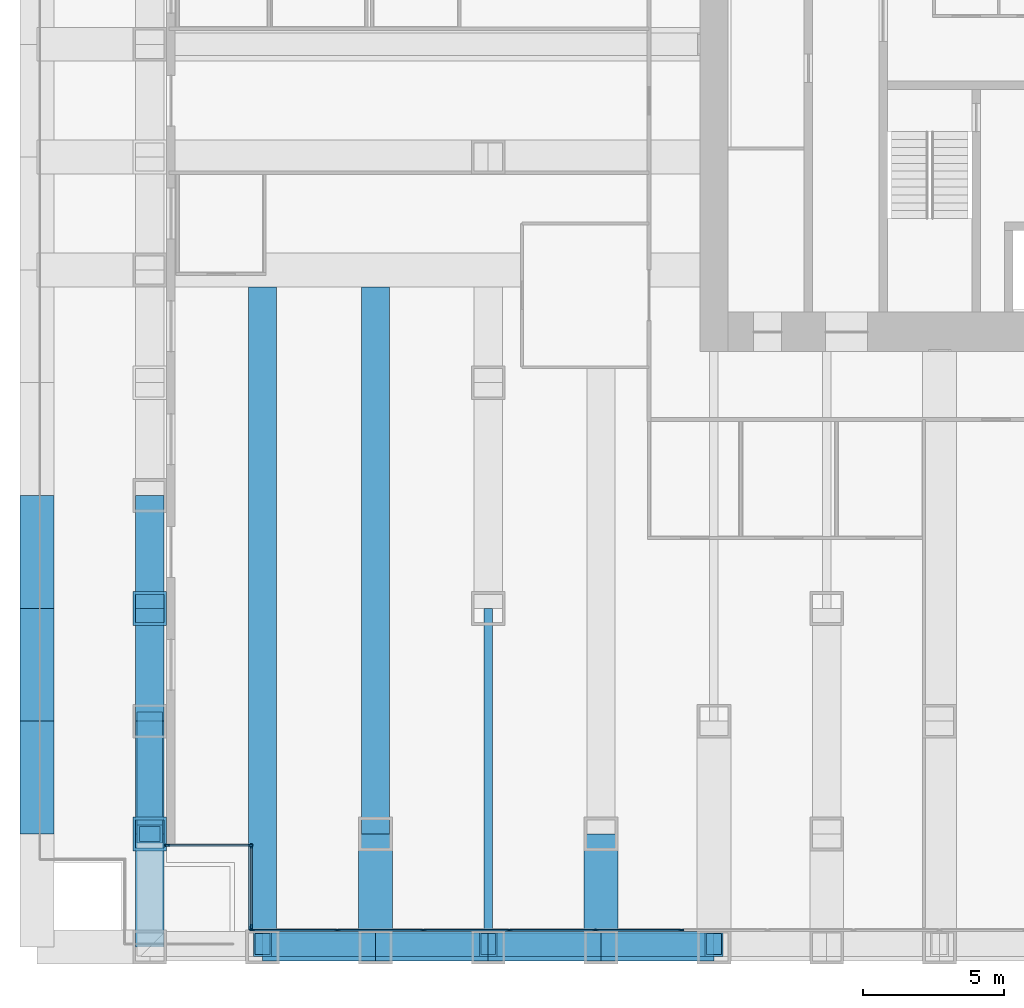
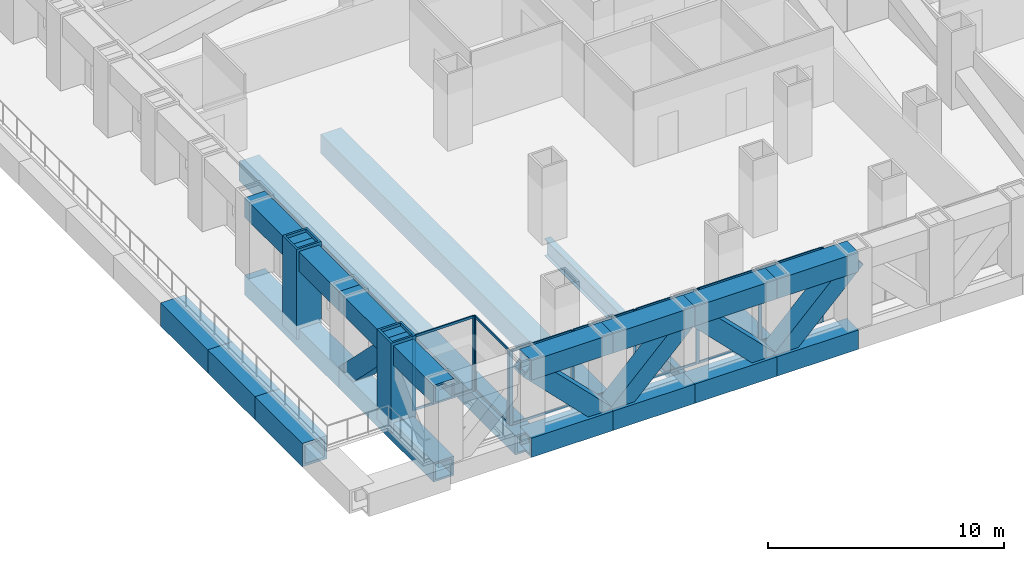
# One storey, part 2 of 18: 31 members, 22 beams, 3 elements without a shape of their own.
"""IFC4 building model written with IfcOpenShell, lengths in metres."""

from ifc_helpers import new_model, si_unit, direction, frame, origin, origin_2d, place, context, subcontext, project, spatial, rectangle, hollow_rectangle, i_section, extrude, material, material_profile, profile_set, type_object, element, aggregate, save


model = new_model("IFC4")

# Units and contexts
model_context = context("Model", 3, precision=1e-05, world=origin(), true_north=direction((0.0, 1.0)))
body_context = subcontext(model_context, "Body", "Model", "MODEL_VIEW")
ifc_project = project(units=[si_unit("LENGTHUNIT", "METRE"), si_unit("AREAUNIT", "SQUARE_METRE"), si_unit("VOLUMEUNIT", "CUBIC_METRE"), si_unit("PLANEANGLEUNIT", "RADIAN"), si_unit("MASSUNIT", "GRAM", prefix="KILO")], contexts=[model_context])

# Site, building, storey
site_placement = place(None, origin())
site = spatial("IfcSite", under=ifc_project, at=site_placement, CompositionType="ELEMENT")
building_placement = place(site_placement, origin())
building = spatial("IfcBuilding", under=site, at=building_placement, Name="Rimbunsela Tower", CompositionType="ELEMENT")
storey_placement = place(building_placement, frame((0.0, 0.0, 11.0)))
storey = spatial("IfcBuildingStorey", under=building, at=storey_placement, Name="L02", CompositionType="ELEMENT", Elevation=11.0)

# Beams
ifc_material_1 = material(Name="Steel BJ 55 (fy 410 MPa)", Category="steel")
ifc_material_profile_1 = material_profile(ifc_material_1, hollow_rectangle(XDim=1.0, YDim=1.0, WallThickness=0.10009765625, at=origin_2d()), Name="BOX 1000x1000x100")
ifc_profile_set_1 = profile_set([ifc_material_profile_1], Name="Steel BJ 55 (fy 410 MPa)")
beam_type_1 = type_object("IfcBeamType", Name="Beam BOX 1000x1000x100", PredefinedType="BEAM", material=ifc_profile_set_1)
beam_1_placement = place(storey_placement, frame((2.0, -4.0, -0.64990234375), z_axis=(0.0, 1.0, 0.0), x_axis=(-1.0, 0.0, 0.0)))
element("IfcBeam", 1, at=beam_1_placement, inside=storey, type_object=beam_type_1, Name="Beam B3 L02", PredefinedType="BEAM", context=body_context, shape_type="SweptSolid", body=[
    extrude(hollow_rectangle(XDim=1.0, YDim=1.0, WallThickness=0.10009765625, at=origin_2d()), origin(), (0.0, 0.0, 1.0), 23.39990234375),
])
beam_2_placement = place(storey_placement, frame((6.0, 0.0, -0.64990234375), z_axis=(0.0, 1.0, 0.0), x_axis=(-1.0, 0.0, 0.0)))
element("IfcBeam", 2, at=beam_2_placement, inside=storey, type_object=beam_type_1, Name="Beam B3 L02", PredefinedType="BEAM", context=body_context, shape_type="SweptSolid", body=[
    extrude(hollow_rectangle(XDim=1.0, YDim=1.0, WallThickness=0.10009765625, at=origin_2d()), origin(), (0.0, 0.0, 1.0), 19.39990234375),
])
ifc_material_2 = material(Name="Steel BJ 55 (fy 410 MPa)", Category="steel")
ifc_material_profile_2 = material_profile(ifc_material_2, hollow_rectangle(XDim=1.199951171875, YDim=1.199951171875, WallThickness=0.125, at=origin_2d()), Name="BOX 1200x1200x125")
ifc_profile_set_2 = profile_set([ifc_material_profile_2], Name="Steel BJ 55 (fy 410 MPa)")
beam_type_2 = type_object("IfcBeamType", Name="Beam BOX 1200x1200x125", PredefinedType="BEAM", material=ifc_profile_set_2)
for number, where, z_axis, x_axis, name in (
    (3, (-6.0, 0.0, -0.75), (0.0, 1.0, 0.0), (-1.0, 0.0, 0.0), "Beam B4 L02"),
    (4, (-6.0, 4.0, -0.75), (0.0, 1.0, 0.0), (-1.0, 0.0, 0.0), "Beam B4 L02"),
    (5, (-6.0, 8.0, -0.75), (0.0, 1.0, 0.0), (-1.0, 0.0, 0.0), "Beam B4 L02"),
    (6, (6.0, -4.0, -0.75), (0.0, 1.0, 0.0), (-1.0, 0.0, 0.0), "Beam B4 L02"),
    (7, (14.0, -4.0, -0.75), (0.0, 1.0, 0.0), (-1.0, 0.0, 0.0), "Beam B4 L02"),
):
    element("IfcBeam", number, at=place(storey_placement, frame(where, z_axis=z_axis, x_axis=x_axis)), inside=storey, type_object=beam_type_2, Name=name, PredefinedType="BEAM", context=body_context, shape_type="SweptSolid", body=[
        extrude(hollow_rectangle(XDim=1.199951171875, YDim=1.199951171875, WallThickness=0.125, at=origin_2d()), origin(), (0.0, 0.0, 1.0), 4.0),
    ])
ifc_material_3 = material(Name="Steel BJ 55 (fy 410 MPa)", Category="steel")
ifc_material_profile_3 = material_profile(ifc_material_3, i_section(OverallWidth=0.300048828125, OverallDepth=0.89990234375, WebThickness=0.01611328125, FlangeThickness=0.028076171875, FilletRadius=0.028076171875, at=origin_2d()), Name="H 900x300x16x28")
ifc_profile_set_3 = profile_set([ifc_material_profile_3], Name="Steel BJ 55 (fy 410 MPa)")
beam_type_3 = type_object("IfcBeamType", Name="Beam H 900x300x16x28", PredefinedType="BEAM", material=ifc_profile_set_3)
beam_3_placement = place(storey_placement, frame((10.0, -4.0, -0.60009765625), z_axis=(0.0, 1.0, 0.0), x_axis=(-1.0, 0.0, 0.0)))
element("IfcBeam", 8, at=beam_3_placement, inside=storey, type_object=beam_type_3, Name="Beam B2 L02", PredefinedType="BEAM", context=body_context, shape_type="SweptSolid", body=[
    extrude(i_section(OverallWidth=0.300048828125, OverallDepth=0.89990234375, WebThickness=0.01611328125, FlangeThickness=0.028076171875, FilletRadius=0.028076171875, at=origin_2d()), origin(), (0.0, 0.0, 1.0), 12.0),
])

# Curtain wall, members
ifc_material_4 = material(Name="Aluminium curtain wall", Category="aluminium")
curtain_wall_type_1 = type_object("IfcCurtainWallType", Name="Corner glazing", PredefinedType="USERDEFINED", material=ifc_material_4)
curtain_wall_1_placement = place(storey_placement, origin())
curtain_wall_1 = element("IfcCurtainWall", 9, at=curtain_wall_1_placement, inside=storey, type_object=curtain_wall_type_1, Name="Corner glazing L02", ObjectType="CORNER GLAZING", PredefinedType="USERDEFINED")
ifc_material_5 = material(Name="Aluminium mullion", Category="aluminium")
ifc_material_profile_4 = material_profile(ifc_material_5, rectangle(XDim=0.06005859375, YDim=0.159912109375, at=origin_2d()), Name="Mullion 60x160")
ifc_profile_set_4 = profile_set([ifc_material_profile_4], Name="Aluminium mullion")
member_type_1 = type_object("IfcMemberType", Name="Curtain wall mullion 60x160", PredefinedType="MULLION", material=ifc_profile_set_4)
member_1_placement = place(storey_placement, frame((-1.3701171875, -0.39990234375, 0.0), z_axis=(0.0, 0.0, 1.0), x_axis=(0.0, 1.0, 0.0)))
member_1 = element("IfcMember", 10, at=member_1_placement, type_object=member_type_1, Name="CW5 mullion 1", PredefinedType="MULLION", context=body_context, shape_type="SweptSolid", body=[
    extrude(rectangle(XDim=0.06005859375, YDim=0.159912109375, at=origin_2d()), origin(), (0.0, 0.0, 1.0), 3.85009765625),
])
member_2_placement = place(storey_placement, frame((1.570068359375, -0.39990234375, 0.0), z_axis=(0.0, 0.0, 1.0), x_axis=(0.0, 1.0, 0.0)))
member_2 = element("IfcMember", 11, at=member_2_placement, type_object=member_type_1, Name="CW5 mullion 2", PredefinedType="MULLION", context=body_context, shape_type="SweptSolid", body=[
    extrude(rectangle(XDim=0.06005859375, YDim=0.159912109375, at=origin_2d()), origin(), (0.0, 0.0, 1.0), 3.85009765625),
])

curtain_wall_2_placement = place(storey_placement, origin())
curtain_wall_2 = element("IfcCurtainWall", 12, at=curtain_wall_2_placement, inside=storey, type_object=curtain_wall_type_1, Name="Corner glazing L02", ObjectType="CORNER GLAZING", PredefinedType="USERDEFINED")
member_3_placement = place(storey_placement, frame((1.60009765625, -0.429931640625, 0.0), z_axis=(0.0, 0.0, 1.0), x_axis=(1.0, 0.0, 0.0)))
member_3 = element("IfcMember", 13, at=member_3_placement, type_object=member_type_1, Name="CW5 mullion 1", PredefinedType="MULLION", context=body_context, shape_type="SweptSolid", body=[
    extrude(rectangle(XDim=0.06005859375, YDim=0.159912109375, at=origin_2d()), origin(), (0.0, 0.0, 1.0), 3.85009765625),
])
member_4_placement = place(storey_placement, frame((1.60009765625, -3.27001953125, 0.0), z_axis=(0.0, 0.0, 1.0), x_axis=(1.0, 0.0, 0.0)))
member_4 = element("IfcMember", 14, at=member_4_placement, type_object=member_type_1, Name="CW5 mullion 2", PredefinedType="MULLION", context=body_context, shape_type="SweptSolid", body=[
    extrude(rectangle(XDim=0.06005859375, YDim=0.159912109375, at=origin_2d()), origin(), (0.0, 0.0, 1.0), 3.85009765625),
])

ifc_material_6 = material(Name="Aluminium curtain wall", Category="aluminium")
curtain_wall_type_2 = type_object("IfcCurtainWallType", Name="Exoskeleton storey infill", PredefinedType="USERDEFINED", material=ifc_material_6)
curtain_wall_3_placement = place(storey_placement, origin())
curtain_wall_3 = element("IfcCurtainWall", 15, at=curtain_wall_3_placement, inside=storey, type_object=curtain_wall_type_2, Name="Exoskeleton storey infill L02", ObjectType="EXOSKELETON STOREY INFILL", PredefinedType="USERDEFINED")
member_5_placement = place(storey_placement, frame((1.6298828125, -3.39990234375, 0.0), z_axis=(0.0, 0.0, 1.0), x_axis=(0.0, 1.0, 0.0)))
member_5 = element("IfcMember", 16, at=member_5_placement, type_object=member_type_1, Name="CW2 mullion 1", PredefinedType="MULLION", context=body_context, shape_type="SweptSolid", body=[
    extrude(rectangle(XDim=0.06005859375, YDim=0.159912109375, at=origin_2d()), origin(), (0.0, 0.0, 1.0), 3.85009765625),
])
member_6_placement = place(storey_placement, frame((4.64990234375, -3.39990234375, 0.0), z_axis=(0.0, 0.0, 1.0), x_axis=(0.0, 1.0, 0.0)))
member_6 = element("IfcMember", 17, at=member_6_placement, type_object=member_type_1, Name="CW2 mullion 2", PredefinedType="MULLION", context=body_context, shape_type="SweptSolid", body=[
    extrude(rectangle(XDim=0.06005859375, YDim=0.159912109375, at=origin_2d()), origin(), (0.0, 0.0, 1.0), 3.85009765625),
])
member_7_placement = place(storey_placement, frame((7.699951171875, -3.39990234375, 0.0), z_axis=(0.0, 0.0, 1.0), x_axis=(0.0, 1.0, 0.0)))
member_7 = element("IfcMember", 18, at=member_7_placement, type_object=member_type_1, Name="CW2 mullion 3", PredefinedType="MULLION", context=body_context, shape_type="SweptSolid", body=[
    extrude(rectangle(XDim=0.06005859375, YDim=0.159912109375, at=origin_2d()), origin(), (0.0, 0.0, 1.0), 3.85009765625),
])
member_8_placement = place(storey_placement, frame((10.75, -3.39990234375, 0.0), z_axis=(0.0, 0.0, 1.0), x_axis=(0.0, 1.0, 0.0)))
member_8 = element("IfcMember", 19, at=member_8_placement, type_object=member_type_1, Name="CW2 mullion 4", PredefinedType="MULLION", context=body_context, shape_type="SweptSolid", body=[
    extrude(rectangle(XDim=0.06005859375, YDim=0.159912109375, at=origin_2d()), origin(), (0.0, 0.0, 1.0), 3.85009765625),
])
member_9_placement = place(storey_placement, frame((13.800048828125, -3.39990234375, 0.0), z_axis=(0.0, 0.0, 1.0), x_axis=(0.0, 1.0, 0.0)))
member_9 = element("IfcMember", 20, at=member_9_placement, type_object=member_type_1, Name="CW2 mullion 5", PredefinedType="MULLION", context=body_context, shape_type="SweptSolid", body=[
    extrude(rectangle(XDim=0.06005859375, YDim=0.159912109375, at=origin_2d()), origin(), (0.0, 0.0, 1.0), 3.85009765625),
])
member_10_placement = place(storey_placement, frame((16.85009765625, -3.39990234375, 0.0), z_axis=(0.0, 0.0, 1.0), x_axis=(0.0, 1.0, 0.0)))
member_10 = element("IfcMember", 21, at=member_10_placement, type_object=member_type_1, Name="CW2 mullion 6", PredefinedType="MULLION", context=body_context, shape_type="SweptSolid", body=[
    extrude(rectangle(XDim=0.06005859375, YDim=0.159912109375, at=origin_2d()), origin(), (0.0, 0.0, 1.0), 3.85009765625),
])

# Member
ifc_material_7 = material(Name="Aluminium transom", Category="aluminium")
ifc_material_profile_5 = material_profile(ifc_material_7, rectangle(XDim=0.06005859375, YDim=0.1201171875, at=origin_2d()), Name="Transom 60x120")
ifc_profile_set_5 = profile_set([ifc_material_profile_5], Name="Aluminium transom")
member_type_2 = type_object("IfcMemberType", Name="Curtain wall transom 60x120", PredefinedType="USERDEFINED", material=ifc_profile_set_5)
member_11_placement = place(storey_placement, frame((-1.340087890625, -0.39990234375, 0.030029296875), z_axis=(1.0, 0.0, 0.0), x_axis=(0.0, 1.0, 0.0)))
member_11 = element("IfcMember", 22, at=member_11_placement, type_object=member_type_2, Name="CW5 transom 1.1", ObjectType="TRANSOM", PredefinedType="USERDEFINED", context=body_context, shape_type="SweptSolid", body=[
    extrude(rectangle(XDim=0.06005859375, YDim=0.1201171875, at=origin_2d()), origin(), (0.0, 0.0, 1.0), 2.880126953125),
])

member_12_placement = place(storey_placement, frame((-1.340087890625, -0.39990234375, 3.820068359375), z_axis=(1.0, 0.0, 0.0), x_axis=(0.0, 1.0, 0.0)))
member_12 = element("IfcMember", 23, at=member_12_placement, type_object=member_type_2, Name="CW5 transom 1.2", ObjectType="TRANSOM", PredefinedType="USERDEFINED", context=body_context, shape_type="SweptSolid", body=[
    extrude(rectangle(XDim=0.06005859375, YDim=0.1201171875, at=origin_2d()), origin(), (0.0, 0.0, 1.0), 2.880126953125),
])

aggregate(curtain_wall_1, [member_1, member_2, member_11, member_12])

member_13_placement = place(storey_placement, frame((1.60009765625, -0.4599609375, 0.030029296875), z_axis=(0.0, -1.0, 0.0), x_axis=(1.0, 0.0, 0.0)))
member_13 = element("IfcMember", 24, at=member_13_placement, type_object=member_type_2, Name="CW5 transom 1.1", ObjectType="TRANSOM", PredefinedType="USERDEFINED", context=body_context, shape_type="SweptSolid", body=[
    extrude(rectangle(XDim=0.06005859375, YDim=0.1201171875, at=origin_2d()), origin(), (0.0, 0.0, 1.0), 2.780029296875),
])

member_14_placement = place(storey_placement, frame((1.60009765625, -0.4599609375, 3.820068359375), z_axis=(0.0, -1.0, 0.0), x_axis=(1.0, 0.0, 0.0)))
member_14 = element("IfcMember", 25, at=member_14_placement, type_object=member_type_2, Name="CW5 transom 1.2", ObjectType="TRANSOM", PredefinedType="USERDEFINED", context=body_context, shape_type="SweptSolid", body=[
    extrude(rectangle(XDim=0.06005859375, YDim=0.1201171875, at=origin_2d()), origin(), (0.0, 0.0, 1.0), 2.780029296875),
])

aggregate(curtain_wall_2, [member_3, member_4, member_13, member_14])

member_15_placement = place(storey_placement, frame((1.659912109375, -3.39990234375, 0.030029296875), z_axis=(1.0, 0.0, 0.0), x_axis=(0.0, 1.0, 0.0)))
member_15 = element("IfcMember", 26, at=member_15_placement, type_object=member_type_2, Name="CW2 transom 1.1", ObjectType="TRANSOM", PredefinedType="USERDEFINED", context=body_context, shape_type="SweptSolid", body=[
    extrude(rectangle(XDim=0.06005859375, YDim=0.1201171875, at=origin_2d()), origin(), (0.0, 0.0, 1.0), 2.960205078125),
])

member_16_placement = place(storey_placement, frame((1.659912109375, -3.39990234375, 3.820068359375), z_axis=(1.0, 0.0, 0.0), x_axis=(0.0, 1.0, 0.0)))
member_16 = element("IfcMember", 27, at=member_16_placement, type_object=member_type_2, Name="CW2 transom 1.2", ObjectType="TRANSOM", PredefinedType="USERDEFINED", context=body_context, shape_type="SweptSolid", body=[
    extrude(rectangle(XDim=0.06005859375, YDim=0.1201171875, at=origin_2d()), origin(), (0.0, 0.0, 1.0), 2.960205078125),
])

member_17_placement = place(storey_placement, frame((4.679931640625, -3.39990234375, 0.030029296875), z_axis=(1.0, 0.0, 0.0), x_axis=(0.0, 1.0, 0.0)))
member_17 = element("IfcMember", 28, at=member_17_placement, type_object=member_type_2, Name="CW2 transom 2.1", ObjectType="TRANSOM", PredefinedType="USERDEFINED", context=body_context, shape_type="SweptSolid", body=[
    extrude(rectangle(XDim=0.06005859375, YDim=0.1201171875, at=origin_2d()), origin(), (0.0, 0.0, 1.0), 2.989990234375),
])

member_18_placement = place(storey_placement, frame((4.679931640625, -3.39990234375, 3.820068359375), z_axis=(1.0, 0.0, 0.0), x_axis=(0.0, 1.0, 0.0)))
member_18 = element("IfcMember", 29, at=member_18_placement, type_object=member_type_2, Name="CW2 transom 2.2", ObjectType="TRANSOM", PredefinedType="USERDEFINED", context=body_context, shape_type="SweptSolid", body=[
    extrude(rectangle(XDim=0.06005859375, YDim=0.1201171875, at=origin_2d()), origin(), (0.0, 0.0, 1.0), 2.989990234375),
])

member_19_placement = place(storey_placement, frame((7.72998046875, -3.39990234375, 0.030029296875), z_axis=(1.0, 0.0, 0.0), x_axis=(0.0, 1.0, 0.0)))
member_19 = element("IfcMember", 30, at=member_19_placement, type_object=member_type_2, Name="CW2 transom 3.1", ObjectType="TRANSOM", PredefinedType="USERDEFINED", context=body_context, shape_type="SweptSolid", body=[
    extrude(rectangle(XDim=0.06005859375, YDim=0.1201171875, at=origin_2d()), origin(), (0.0, 0.0, 1.0), 2.989990234375),
])

member_20_placement = place(storey_placement, frame((7.72998046875, -3.39990234375, 3.820068359375), z_axis=(1.0, 0.0, 0.0), x_axis=(0.0, 1.0, 0.0)))
member_20 = element("IfcMember", 31, at=member_20_placement, type_object=member_type_2, Name="CW2 transom 3.2", ObjectType="TRANSOM", PredefinedType="USERDEFINED", context=body_context, shape_type="SweptSolid", body=[
    extrude(rectangle(XDim=0.06005859375, YDim=0.1201171875, at=origin_2d()), origin(), (0.0, 0.0, 1.0), 2.989990234375),
])

member_21_placement = place(storey_placement, frame((10.780029296875, -3.39990234375, 0.030029296875), z_axis=(1.0, 0.0, 0.0), x_axis=(0.0, 1.0, 0.0)))
member_21 = element("IfcMember", 32, at=member_21_placement, type_object=member_type_2, Name="CW2 transom 4.1", ObjectType="TRANSOM", PredefinedType="USERDEFINED", context=body_context, shape_type="SweptSolid", body=[
    extrude(rectangle(XDim=0.06005859375, YDim=0.1201171875, at=origin_2d()), origin(), (0.0, 0.0, 1.0), 2.989990234375),
])

member_22_placement = place(storey_placement, frame((10.780029296875, -3.39990234375, 3.820068359375), z_axis=(1.0, 0.0, 0.0), x_axis=(0.0, 1.0, 0.0)))
member_22 = element("IfcMember", 33, at=member_22_placement, type_object=member_type_2, Name="CW2 transom 4.2", ObjectType="TRANSOM", PredefinedType="USERDEFINED", context=body_context, shape_type="SweptSolid", body=[
    extrude(rectangle(XDim=0.06005859375, YDim=0.1201171875, at=origin_2d()), origin(), (0.0, 0.0, 1.0), 2.989990234375),
])

member_23_placement = place(storey_placement, frame((13.830078125, -3.39990234375, 0.030029296875), z_axis=(1.0, 0.0, 0.0), x_axis=(0.0, 1.0, 0.0)))
member_23 = element("IfcMember", 34, at=member_23_placement, type_object=member_type_2, Name="CW2 transom 5.1", ObjectType="TRANSOM", PredefinedType="USERDEFINED", context=body_context, shape_type="SweptSolid", body=[
    extrude(rectangle(XDim=0.06005859375, YDim=0.1201171875, at=origin_2d()), origin(), (0.0, 0.0, 1.0), 2.989990234375),
])

member_24_placement = place(storey_placement, frame((13.830078125, -3.39990234375, 3.820068359375), z_axis=(1.0, 0.0, 0.0), x_axis=(0.0, 1.0, 0.0)))
member_24 = element("IfcMember", 35, at=member_24_placement, type_object=member_type_2, Name="CW2 transom 5.2", ObjectType="TRANSOM", PredefinedType="USERDEFINED", context=body_context, shape_type="SweptSolid", body=[
    extrude(rectangle(XDim=0.06005859375, YDim=0.1201171875, at=origin_2d()), origin(), (0.0, 0.0, 1.0), 2.989990234375),
])

aggregate(curtain_wall_3, [member_5, member_6, member_7, member_8, member_9, member_10, member_15, member_16, member_17, member_18, member_19, member_20, member_21, member_22, member_23, member_24])

# Beams
ifc_material_8 = material(Name="Steel BJ 55 (fy 410 MPa)", Category="steel")
ifc_material_profile_6 = material_profile(ifc_material_8, hollow_rectangle(XDim=1.0, YDim=1.0, WallThickness=0.10009765625, at=origin_2d()), Name="BOX 1000x1000x100")
ifc_profile_set_6 = profile_set([ifc_material_profile_6], Name="Steel BJ 55 (fy 410 MPa)")
beam_type_4 = type_object("IfcBeamType", Name="Truss chord BOX 1000x1000x100", PredefinedType="USERDEFINED", material=ifc_profile_set_6)
for number, where, z_axis, x_axis, name in (
    (36, (2.0, -4.0, 3.35009765625), (1.0, 0.0, 0.0), (0.0, 1.0, 0.0), "Truss top chord TC1 S face L02"),
    (37, (6.0, -4.0, 3.35009765625), (1.0, 0.0, 0.0), (0.0, 1.0, 0.0), "Truss top chord TC1 S face L02"),
    (38, (10.0, -4.0, 3.35009765625), (1.0, 0.0, 0.0), (0.0, 1.0, 0.0), "Truss top chord TC1 S face L02"),
    (39, (14.0, -4.0, 3.35009765625), (1.0, 0.0, 0.0), (0.0, 1.0, 0.0), "Truss top chord TC1 S face L02"),
    (40, (-2.0, -4.0, 3.35009765625), (0.0, 1.0, 0.0), (-1.0, 0.0, 0.0), "Truss top chord TC1 W face L02"),
    (41, (-2.0, 0.0, 3.35009765625), (0.0, 1.0, 0.0), (-1.0, 0.0, 0.0), "Truss top chord TC1 W face L02"),
    (42, (-2.0, 4.0, 3.35009765625), (0.0, 1.0, 0.0), (-1.0, 0.0, 0.0), "Truss top chord TC1 W face L02"),
    (43, (-2.0, 8.0, 3.35009765625), (0.0, 1.0, 0.0), (-1.0, 0.0, 0.0), "Truss top chord TC1 W face L02"),
    (44, (2.0, -4.0, -0.64990234375), (1.0, 0.0, 0.0), (0.0, 1.0, 0.0), "Truss bottom chord TC1 S face L02"),
    (45, (6.0, -4.0, -0.64990234375), (1.0, 0.0, 0.0), (0.0, 1.0, 0.0), "Truss bottom chord TC1 S face L02"),
    (46, (10.0, -4.0, -0.64990234375), (1.0, 0.0, 0.0), (0.0, 1.0, 0.0), "Truss bottom chord TC1 S face L02"),
    (47, (14.0, -4.0, -0.64990234375), (1.0, 0.0, 0.0), (0.0, 1.0, 0.0), "Truss bottom chord TC1 S face L02"),
):
    element("IfcBeam", number, at=place(storey_placement, frame(where, z_axis=z_axis, x_axis=x_axis)), inside=storey, type_object=beam_type_4, Name=name, ObjectType="TRUSS CHORD", PredefinedType="USERDEFINED", context=body_context, shape_type="SweptSolid", body=[
        extrude(hollow_rectangle(XDim=1.0, YDim=1.0, WallThickness=0.10009765625, at=origin_2d()), origin(), (0.0, 0.0, 1.0), 4.0),
    ])
for number, where, z_axis, x_axis, name in (
    (48, (-2.0, -4.0, -0.64990234375), (0.0, 1.0, 0.0), (-1.0, 0.0, 0.0), "Truss bottom chord TC1 W face L02"),
    (49, (-2.0, 4.0, -0.64990234375), (0.0, 1.0, 0.0), (-1.0, 0.0, 0.0), "Truss bottom chord TC1 W face L02"),
):
    element("IfcBeam", number, at=place(storey_placement, frame(where, z_axis=z_axis, x_axis=x_axis)), inside=storey, type_object=beam_type_4, Name=name, ObjectType="TRUSS CHORD", PredefinedType="USERDEFINED", context=body_context, shape_type="SweptSolid", body=[
        extrude(hollow_rectangle(XDim=1.0, YDim=1.0, WallThickness=0.10009765625, at=origin_2d()), origin(), (0.0, 0.0, 1.0), 8.0),
    ])

# Members
ifc_material_9 = material(Name="Steel BJ 55 (fy 410 MPa)", Category="steel")
ifc_material_profile_7 = material_profile(ifc_material_9, hollow_rectangle(XDim=0.89990234375, YDim=0.89990234375, WallThickness=0.080078125, at=origin_2d()), Name="BOX 900x900x80")
ifc_profile_set_7 = profile_set([ifc_material_profile_7], Name="Steel BJ 55 (fy 410 MPa)")
member_type_3 = type_object("IfcMemberType", Name="Truss diagonal BOX 900x900x80", PredefinedType="BRACE", material=ifc_profile_set_7)
for number, where, z_axis, x_axis, name in (
    (50, (2.0, -3.89990234375, 3.35009765625), (0.707106781187, 0.0, -0.707106781187), (0.0, 1.0, 0.0), "Truss diagonal TD1 S face L02"),
    (51, (6.0, -3.89990234375, -0.64990234375), (0.707106781187, 0.0, 0.707106781187), (0.0, 1.0, 0.0), "Truss diagonal TD1 S face L02"),
    (52, (10.0, -3.89990234375, 3.35009765625), (0.707106781187, 0.0, -0.707106781187), (0.0, 1.0, 0.0), "Truss diagonal TD1 S face L02"),
    (53, (14.0, -3.89990234375, -0.64990234375), (0.707106781187, 0.0, 0.707106781187), (0.0, 1.0, 0.0), "Truss diagonal TD1 S face L02"),
    (54, (-2.0, 0.0, 3.35009765625), (0.0, 0.707106781187, -0.707106781187), (-1.0, 0.0, 0.0), "Truss diagonal TD1 W face L02"),
):
    element("IfcMember", number, at=place(storey_placement, frame(where, z_axis=z_axis, x_axis=x_axis)), inside=storey, type_object=member_type_3, Name=name, PredefinedType="BRACE", context=body_context, shape_type="SweptSolid", body=[
        extrude(hollow_rectangle(XDim=0.89990234375, YDim=0.89990234375, WallThickness=0.080078125, at=origin_2d()), origin(), (0.0, 0.0, 1.0), 5.65673828125),
    ])
ifc_material_10 = material(Name="Steel BJ 55 (fy 410 MPa)", Category="steel")
ifc_material_profile_8 = material_profile(ifc_material_10, hollow_rectangle(XDim=1.199951171875, YDim=1.199951171875, WallThickness=0.10009765625, at=origin_2d()), Name="BOX 1200x1200x100")
ifc_profile_set_8 = profile_set([ifc_material_profile_8], Name="Steel BJ 55 (fy 410 MPa)")
member_type_4 = type_object("IfcMemberType", Name="Truss post BOX 1200x1200x100", PredefinedType="POST", material=ifc_profile_set_8)
for number, where, z_axis, x_axis, name in (
    (55, (-2.0, 0.0, -0.64990234375), (0.0, 0.0, 1.0), (1.0, 0.0, 0.0), "Truss post TP1 2/B L02"),
    (56, (-2.0, 8.0, -0.64990234375), (0.0, 0.0, 1.0), (1.0, 0.0, 0.0), "Truss post TP1 2/D L02"),
):
    element("IfcMember", number, at=place(storey_placement, frame(where, z_axis=z_axis, x_axis=x_axis)), inside=storey, type_object=member_type_4, Name=name, PredefinedType="POST", context=body_context, shape_type="SweptSolid", body=[
        extrude(hollow_rectangle(XDim=1.199951171875, YDim=1.199951171875, WallThickness=0.10009765625, at=origin_2d()), origin(), (0.0, 0.0, 1.0), 4.64990234375),
    ])

save(model, "model.ifc")
